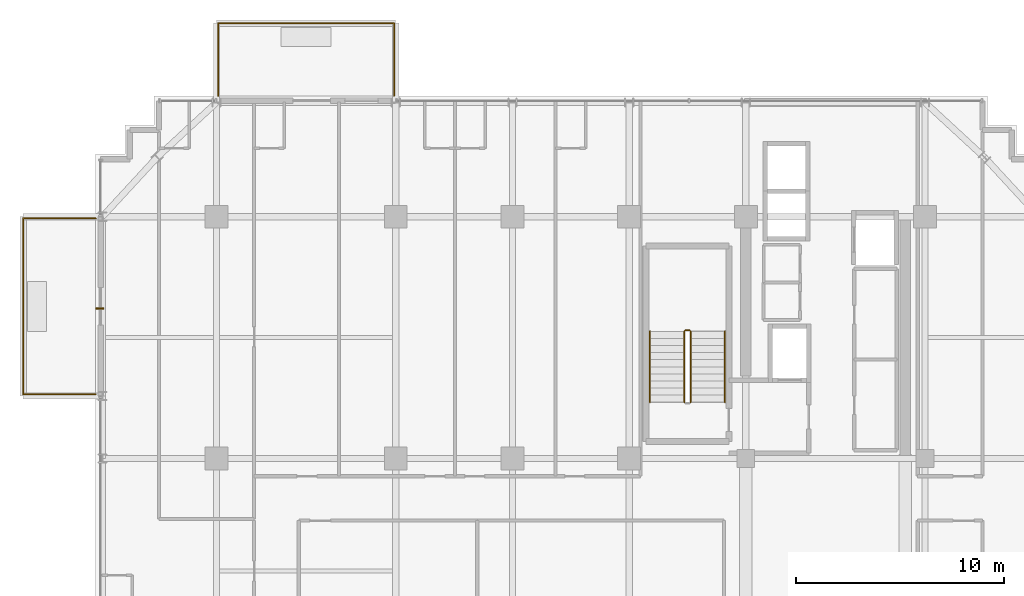
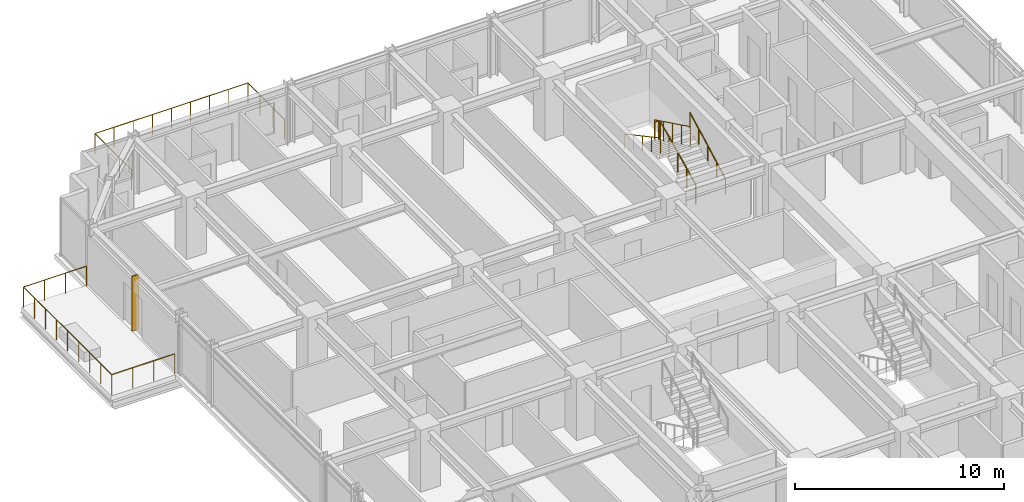
# One storey, part 31 of 32: 7 railings, 1 shading device.
"""IFC4 building model written with IfcOpenShell, lengths in metres."""

from ifc_helpers import new_model, si_unit, direction, frame, origin, origin_2d, place, context, subcontext, project, spatial, rectangle, circle, extrude, source, transform, mapped, material, layer, layer_set, type_object, element, save


model = new_model("IFC4")

# Units and contexts
model_context = context("Model", 3, precision=1e-05, world=origin(), true_north=direction((0.0, 1.0)))
body_context = subcontext(model_context, "Body", "Model", "MODEL_VIEW")
ifc_project = project(units=[si_unit("LENGTHUNIT", "METRE"), si_unit("AREAUNIT", "SQUARE_METRE"), si_unit("VOLUMEUNIT", "CUBIC_METRE"), si_unit("PLANEANGLEUNIT", "RADIAN"), si_unit("MASSUNIT", "GRAM", prefix="KILO")], contexts=[model_context])

# Site, building, storey
site_placement = place(None, origin())
site = spatial("IfcSite", under=ifc_project, at=site_placement, CompositionType="ELEMENT")
building_placement = place(site_placement, origin())
building = spatial("IfcBuilding", under=site, at=building_placement, Name="Nahalor Promenade Grand Hotel", CompositionType="ELEMENT")
storey_placement = place(building_placement, frame((0.0, 0.0, 152.64990234375)))
storey = spatial("IfcBuildingStorey", under=building, at=storey_placement, Name="L38", CompositionType="ELEMENT", Elevation=152.64990234375)

# Railings
ifc_material_1 = material(Name="Anodised Bronze Aluminium EN AW-6063 T6", Category="aluminium")
railing_type_1 = type_object("IfcRailingType", Name="Bronze Balcony Guardrail 1200 mm", PredefinedType="GUARDRAIL", material=ifc_material_1)
railing_1_placement = place(storey_placement, frame((-16.919921875, 22.800048828125, 0.0)))
element("IfcRailing", 1, at=railing_1_placement, inside=storey, type_object=railing_type_1, Name="L38 Balcony Guardrail 1", PredefinedType="GUARDRAIL", context=body_context, shape_type="SweptSolid", body=[
    extrude(circle(Radius=0.024048, at=origin_2d()), frame((0.0, 0.0, 1.17578125), z_axis=(0.0, 1.0, 0.0), x_axis=(-1.0, 0.0, 0.0)), (0.0, 0.0, 1.0), 3.488037109375),
    extrude(circle(Radius=0.024048, at=origin_2d()), frame((0.001953125, 3.489990234375, 1.17578125), z_axis=(1.0, 0.0, 0.0), x_axis=(0.0, 1.0, 0.0)), (0.0, 0.0, 1.0), 8.43603515625),
    extrude(circle(Radius=0.024048, at=origin_2d()), frame((8.43994140625, 3.488037109375, 1.17578125), z_axis=(0.0, -1.0, 0.0), x_axis=(1.0, 0.0, 0.0)), (0.0, 0.0, 1.0), 3.488037109375),
    extrude(circle(Radius=0.020996, at=origin_2d()), origin(), (0.0, 0.0, 1.0), 1.14990234375),
    extrude(circle(Radius=0.020996, at=origin_2d()), frame((0.0, 1.163330078125, 0.0)), (0.0, 0.0, 1.0), 1.14990234375),
    extrude(circle(Radius=0.020996, at=origin_2d()), frame((0.0, 2.32666015625, 0.0)), (0.0, 0.0, 1.0), 1.14990234375),
    extrude(circle(Radius=0.020996, at=origin_2d()), frame((0.0, 3.489990234375, 0.0)), (0.0, 0.0, 1.0), 1.14990234375),
    extrude(circle(Radius=0.020996, at=origin_2d()), frame((1.054931640625, 3.489990234375, 0.0)), (0.0, 0.0, 1.0), 1.14990234375),
    extrude(circle(Radius=0.020996, at=origin_2d()), frame((2.10986328125, 3.489990234375, 0.0)), (0.0, 0.0, 1.0), 1.14990234375),
    extrude(circle(Radius=0.020996, at=origin_2d()), frame((3.1650390625, 3.489990234375, 0.0)), (0.0, 0.0, 1.0), 1.14990234375),
    extrude(circle(Radius=0.020996, at=origin_2d()), frame((4.219970703125, 3.489990234375, 0.0)), (0.0, 0.0, 1.0), 1.14990234375),
    extrude(circle(Radius=0.020996, at=origin_2d()), frame((5.27490234375, 3.489990234375, 0.0)), (0.0, 0.0, 1.0), 1.14990234375),
    extrude(circle(Radius=0.020996, at=origin_2d()), frame((6.330078125, 3.489990234375, 0.0)), (0.0, 0.0, 1.0), 1.14990234375),
    extrude(circle(Radius=0.020996, at=origin_2d()), frame((7.385009765625, 3.489990234375, 0.0)), (0.0, 0.0, 1.0), 1.14990234375),
    extrude(circle(Radius=0.020996, at=origin_2d()), frame((8.43994140625, 3.489990234375, 0.0)), (0.0, 0.0, 1.0), 1.14990234375),
    extrude(circle(Radius=0.020996, at=origin_2d()), frame((8.43994140625, 2.32666015625, 0.0)), (0.0, 0.0, 1.0), 1.14990234375),
    extrude(circle(Radius=0.020996, at=origin_2d()), frame((8.43994140625, 1.163330078125, 0.0)), (0.0, 0.0, 1.0), 1.14990234375),
    extrude(circle(Radius=0.020996, at=origin_2d()), frame((8.43994140625, 0.0, 0.0)), (0.0, 0.0, 1.0), 1.14990234375),
])
railing_2_placement = place(storey_placement, frame((-22.800048828125, 8.47998046875, 0.0)))
element("IfcRailing", 2, at=railing_2_placement, inside=storey, type_object=railing_type_1, Name="L38 Balcony Guardrail 2", PredefinedType="GUARDRAIL", context=body_context, shape_type="SweptSolid", body=[
    extrude(circle(Radius=0.024048, at=origin_2d()), frame((0.0, 0.0, 1.17578125), z_axis=(-1.0, 0.0, 0.0), x_axis=(0.0, -1.0, 0.0)), (0.0, 0.0, 1.0), 3.47802734375),
    extrude(circle(Radius=0.024048, at=origin_2d()), frame((-3.47998046875, 0.001953125, 1.17578125), z_axis=(0.0, 1.0, 0.0), x_axis=(-1.0, 0.0, 0.0)), (0.0, 0.0, 1.0), 8.43603515625),
    extrude(circle(Radius=0.024048, at=origin_2d()), frame((-3.47802734375, 8.43994140625, 1.17578125), z_axis=(1.0, 0.0, 0.0), x_axis=(0.0, 1.0, 0.0)), (0.0, 0.0, 1.0), 3.47802734375),
    extrude(circle(Radius=0.020996, at=origin_2d()), origin(), (0.0, 0.0, 1.0), 1.14990234375),
    extrude(circle(Radius=0.020996, at=origin_2d()), frame((-1.159912109375, 0.0, 0.0)), (0.0, 0.0, 1.0), 1.14990234375),
    extrude(circle(Radius=0.020996, at=origin_2d()), frame((-2.320068359375, 0.0, 0.0)), (0.0, 0.0, 1.0), 1.14990234375),
    extrude(circle(Radius=0.020996, at=origin_2d()), frame((-3.47998046875, 0.0, 0.0)), (0.0, 0.0, 1.0), 1.14990234375),
    extrude(circle(Radius=0.020996, at=origin_2d()), frame((-3.47998046875, 1.054931640625, 0.0)), (0.0, 0.0, 1.0), 1.14990234375),
    extrude(circle(Radius=0.020996, at=origin_2d()), frame((-3.47998046875, 2.10986328125, 0.0)), (0.0, 0.0, 1.0), 1.14990234375),
    extrude(circle(Radius=0.020996, at=origin_2d()), frame((-3.47998046875, 3.1650390625, 0.0)), (0.0, 0.0, 1.0), 1.14990234375),
    extrude(circle(Radius=0.020996, at=origin_2d()), frame((-3.47998046875, 4.219970703125, 0.0)), (0.0, 0.0, 1.0), 1.14990234375),
    extrude(circle(Radius=0.020996, at=origin_2d()), frame((-3.47998046875, 5.27490234375, 0.0)), (0.0, 0.0, 1.0), 1.14990234375),
    extrude(circle(Radius=0.020996, at=origin_2d()), frame((-3.47998046875, 6.330078125, 0.0)), (0.0, 0.0, 1.0), 1.14990234375),
    extrude(circle(Radius=0.020996, at=origin_2d()), frame((-3.47998046875, 7.385009765625, 0.0)), (0.0, 0.0, 1.0), 1.14990234375),
    extrude(circle(Radius=0.020996, at=origin_2d()), frame((-3.47998046875, 8.43994140625, 0.0)), (0.0, 0.0, 1.0), 1.14990234375),
    extrude(circle(Radius=0.020996, at=origin_2d()), frame((-2.320068359375, 8.43994140625, 0.0)), (0.0, 0.0, 1.0), 1.14990234375),
    extrude(circle(Radius=0.020996, at=origin_2d()), frame((-1.159912109375, 8.43994140625, 0.0)), (0.0, 0.0, 1.0), 1.14990234375),
    extrude(circle(Radius=0.020996, at=origin_2d()), frame((0.0, 8.43994140625, 0.0)), (0.0, 0.0, 1.0), 1.14990234375),
])
ifc_material_2 = material(Name="Steel S355JR", Category="steel")
railing_type_2 = type_object("IfcRailingType", Name="Steel Stair Guardrail 1150 mm", PredefinedType="GUARDRAIL", material=ifc_material_2)
railing_3_placement = place(storey_placement, frame((5.75, 8.10009765625, 0.166015625)))
element("IfcRailing", 3, at=railing_3_placement, inside=storey, type_object=railing_type_2, Name="L38 ST1 stair guard 1", PredefinedType="GUARDRAIL", context=body_context, shape_type="SweptSolid", body=[
    extrude(circle(Radius=0.024048, at=origin_2d()), frame((0.0, 0.0, 1.1259765625), z_axis=(0.0, 0.898696488221, 0.438571114028), x_axis=(-1.0, 0.0, 0.0)), (0.0, 0.0, 1.0), 3.783203125),
    extrude(circle(Radius=0.020996, at=origin_2d()), origin(), (0.0, 0.0, 1.0), 1.099853515625),
    extrude(circle(Radius=0.020996, at=origin_2d()), frame((0.0, 0.85009765625, 0.414794921875)), (0.0, 0.0, 1.0), 1.099853515625),
    extrude(circle(Radius=0.020996, at=origin_2d()), frame((0.0, 1.699951171875, 0.82958984375)), (0.0, 0.0, 1.0), 1.099853515625),
    extrude(circle(Radius=0.020996, at=origin_2d()), frame((0.0, 2.5498046875, 1.244384765625)), (0.0, 0.0, 1.0), 1.099853515625),
    extrude(circle(Radius=0.020996, at=origin_2d()), frame((0.0, 3.39990234375, 1.6591796875)), (0.0, 0.0, 1.0), 1.099853515625),
])
railing_4_placement = place(storey_placement, frame((5.699951171875, 11.550048828125, 1.8251953125)))
element("IfcRailing", 4, at=railing_4_placement, inside=storey, type_object=railing_type_2, Name="L38 ST1 stair guard 2", PredefinedType="GUARDRAIL", context=body_context, shape_type="SweptSolid", body=[
    extrude(circle(Radius=0.024048, at=origin_2d()), frame((0.0, 0.0, 1.1259765625), z_axis=(-1.0, 0.0, 0.0), x_axis=(0.0, -1.0, 0.0)), (0.0, 0.0, 1.0), 0.199951171875),
    extrude(circle(Radius=0.020996, at=origin_2d()), origin(), (0.0, 0.0, 1.0), 1.099853515625),
    extrude(circle(Radius=0.020996, at=origin_2d()), frame((-0.199951171875, 0.0, 0.0)), (0.0, 0.0, 1.0), 1.099853515625),
])
railing_5_placement = place(storey_placement, frame((5.449951171875, 11.5, 1.990966796875)))
element("IfcRailing", 5, at=railing_5_placement, inside=storey, type_object=railing_type_2, Name="L38 ST1 stair guard 3", PredefinedType="GUARDRAIL", context=body_context, shape_type="SweptSolid", body=[
    extrude(circle(Radius=0.024048, at=origin_2d()), frame((0.0, 0.0, 1.1259765625), z_axis=(0.0, -0.898696488221, 0.438571114028), x_axis=(1.0, 0.0, 0.0)), (0.0, 0.0, 1.0), 3.783203125),
    extrude(circle(Radius=0.020996, at=origin_2d()), origin(), (0.0, 0.0, 1.0), 1.099853515625),
    extrude(circle(Radius=0.020996, at=origin_2d()), frame((0.0, -0.85009765625, 0.414794921875)), (0.0, 0.0, 1.0), 1.099853515625),
    extrude(circle(Radius=0.020996, at=origin_2d()), frame((0.0, -1.699951171875, 0.82958984375)), (0.0, 0.0, 1.0), 1.099853515625),
    extrude(circle(Radius=0.020996, at=origin_2d()), frame((0.0, -2.5498046875, 1.244384765625)), (0.0, 0.0, 1.0), 1.099853515625),
    extrude(circle(Radius=0.020996, at=origin_2d()), frame((0.0, -3.39990234375, 1.6591796875)), (0.0, 0.0, 1.0), 1.099853515625),
])
railing_type_3 = type_object("IfcRailingType", Name="Steel Stair Handrail 900 mm", PredefinedType="HANDRAIL", material=ifc_material_2)
railing_6_placement = place(storey_placement, frame((7.39990234375, 8.10009765625, 0.166015625)))
element("IfcRailing", 6, at=railing_6_placement, inside=storey, type_object=railing_type_3, Name="L38 ST1 stair handrail 1", PredefinedType="HANDRAIL", context=body_context, shape_type="SweptSolid", body=[
    extrude(circle(Radius=0.024048, at=origin_2d()), frame((0.0, 0.0, 0.8759765625), z_axis=(0.0, 0.881094038095, 0.47294111265), x_axis=(-1.0, 0.0, 0.0)), (0.0, 0.0, 1.0), 3.858642578125),
    extrude(circle(Radius=0.020996, at=origin_2d()), origin(), (0.0, 0.0, 1.0), 0.849853515625),
    extrude(circle(Radius=0.020996, at=origin_2d()), frame((0.0, 0.85009765625, 0.456298828125)), (0.0, 0.0, 1.0), 0.849853515625),
    extrude(circle(Radius=0.020996, at=origin_2d()), frame((0.0, 1.699951171875, 0.91259765625)), (0.0, 0.0, 1.0), 0.849853515625),
    extrude(circle(Radius=0.020996, at=origin_2d()), frame((0.0, 2.5498046875, 1.36865234375)), (0.0, 0.0, 1.0), 0.849853515625),
    extrude(circle(Radius=0.020996, at=origin_2d()), frame((0.0, 3.39990234375, 1.824951171875)), (0.0, 0.0, 1.0), 0.849853515625),
])
railing_7_placement = place(storey_placement, frame((3.800048828125, 11.5, 1.990966796875)))
element("IfcRailing", 7, at=railing_7_placement, inside=storey, type_object=railing_type_3, Name="L38 ST1 stair handrail 2", PredefinedType="HANDRAIL", context=body_context, shape_type="SweptSolid", body=[
    extrude(circle(Radius=0.024048, at=origin_2d()), frame((0.0, 0.0, 0.8759765625), z_axis=(0.0, -0.881094038095, 0.47294111265), x_axis=(1.0, 0.0, 0.0)), (0.0, 0.0, 1.0), 3.858642578125),
    extrude(circle(Radius=0.020996, at=origin_2d()), origin(), (0.0, 0.0, 1.0), 0.849853515625),
    extrude(circle(Radius=0.020996, at=origin_2d()), frame((0.0, -0.85009765625, 0.456298828125)), (0.0, 0.0, 1.0), 0.849853515625),
    extrude(circle(Radius=0.020996, at=origin_2d()), frame((0.0, -1.699951171875, 0.91259765625)), (0.0, 0.0, 1.0), 0.849853515625),
    extrude(circle(Radius=0.020996, at=origin_2d()), frame((0.0, -2.5498046875, 1.36865234375)), (0.0, 0.0, 1.0), 0.849853515625),
    extrude(circle(Radius=0.020996, at=origin_2d()), frame((0.0, -3.39990234375, 1.824951171875)), (0.0, 0.0, 1.0), 0.849853515625),
])

# Shading device
ifc_layer = layer(ifc_material_1, 0.06005859375)
ifc_layer_set = layer_set([ifc_layer], Name="Anodised Bronze Aluminium EN AW-6063 T6")
shading_device_type = type_object("IfcShadingDeviceType", Name="Shade-SolarFin-Bronze", PredefinedType="JALOUSIE", material=ifc_layer_set)
shared_shape = source(origin(), body_context, "Body", "SweptSolid", [
    extrude(rectangle(XDim=0.3798828125, YDim=0.06005859375, at=origin_2d()), origin(), (0.0, 0.0, 1.0), 3.199951171875),
])
shading_device_placement = place(storey_placement, frame((-22.610107421875, 12.60009765625, 0.0), z_axis=(0.0, 0.0, 1.0), x_axis=(1.0, 0.0, 0.0)))
element("IfcShadingDevice", 8, at=shading_device_placement, inside=storey, type_object=shading_device_type, Name="JAL-L38-W2", PredefinedType="JALOUSIE", context=body_context, shape_type="MappedRepresentation", body=[
    mapped(shared_shape, transform((0.0, 0.0, 0.0), scale=1.0)),
])

save(model, "model.ifc")
